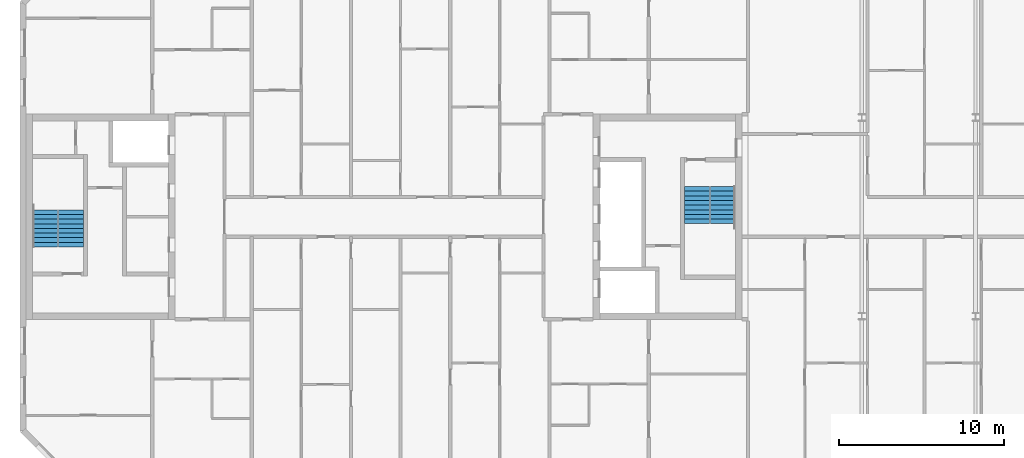
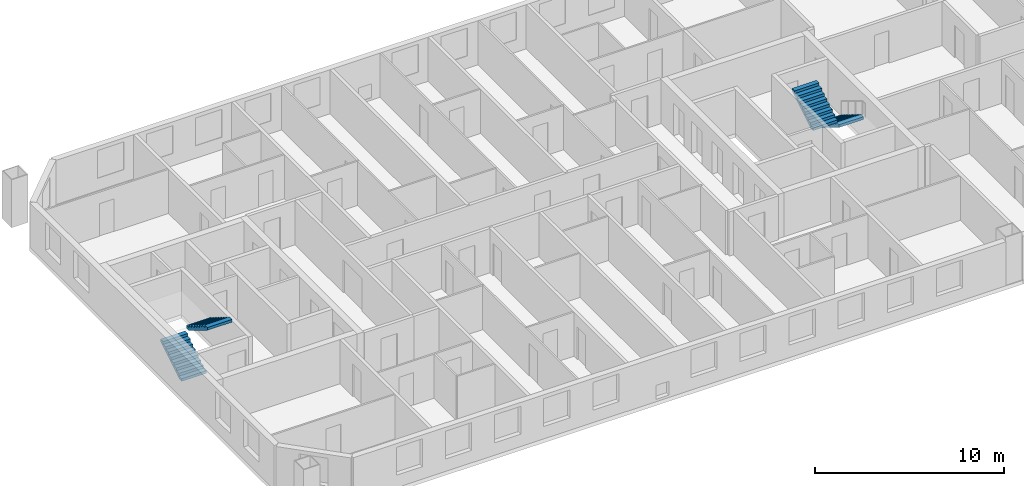
# One storey, part 18 of 19: 4 stair flights, 2 elements without a shape of their own.
"""IFC4 building model written with IfcOpenShell, lengths in metres."""

from ifc_helpers import new_model, si_unit, direction, frame, origin, place, context, subcontext, project, spatial, faceted_brep, material, type_object, element, aggregate, save


model = new_model("IFC4")

# Units and contexts
model_context = context("Model", 3, precision=1e-05, world=origin(), true_north=direction((0.0, 1.0)))
body_context = subcontext(model_context, "Body", "Model", "MODEL_VIEW")
ifc_project = project(units=[si_unit("LENGTHUNIT", "METRE"), si_unit("AREAUNIT", "SQUARE_METRE"), si_unit("VOLUMEUNIT", "CUBIC_METRE"), si_unit("PLANEANGLEUNIT", "RADIAN"), si_unit("MASSUNIT", "GRAM", prefix="KILO")], contexts=[model_context])

# Site, building, storey
site_placement = place(None, origin())
site = spatial("IfcSite", under=ifc_project, at=site_placement, CompositionType="ELEMENT")
building_placement = place(site_placement, origin())
building = spatial("IfcBuilding", under=site, at=building_placement, Name="Tuart Gate Housing", CompositionType="ELEMENT")
storey_placement = place(building_placement, frame((0.0, 0.0, 233.800048828125)))
storey = spatial("IfcBuildingStorey", under=building, at=storey_placement, Name="L66", CompositionType="ELEMENT", Elevation=233.800048828125)

# Stair, stair flights
ifc_material_1 = material(Name="Concrete C40", Category="concrete")
stair_type = type_object("IfcStairType", Name="Core stair 1500", PredefinedType="HALF_TURN_STAIR", material=ifc_material_1)
stair_1_placement = place(storey_placement, origin())
stair_1 = element("IfcStair", 1, at=stair_1_placement, inside=storey, type_object=stair_type, Name="Stair SA1", PredefinedType="HALF_TURN_STAIR")
ifc_material_2 = material(Name="Concrete C40", Category="concrete")
stair_flight_type = type_object("IfcStairFlightType", Name="Stair flight 1500, 9 risers 172 x 280", PredefinedType="STRAIGHT", material=ifc_material_2)
stair_flight_1_placement = place(storey_placement, frame((74.489990234375, 71.824951171875, 0.0), z_axis=(0.0, 0.0, 1.0), x_axis=(0.0, -1.0, 0.0)))
stair_flight_1 = element("IfcStairFlight", 2, at=stair_flight_1_placement, type_object=stair_flight_type, Name="SA1 flight 1", NumberOfRisers=9, NumberOfTreads=8, PredefinedType="STRAIGHT", RiserHeight=0.172222222, TreadLength=0.28, context=body_context, shape_type="Brep", body=[
    faceted_brep([(0.0, 0.75, 0.0), (0.0, 0.75, 0.172119140625), (0.280029296875, 0.75, 0.172119140625), (0.280029296875, 0.75, 0.344482421875), (0.56005859375, 0.75, 0.344482421875), (0.56005859375, 0.75, 0.5166015625), (0.840087890625, 0.75, 0.5166015625), (0.840087890625, 0.75, 0.68896484375), (1.1201171875, 0.75, 0.68896484375), (1.1201171875, 0.75, 0.861083984375), (1.39990234375, 0.75, 0.861083984375), (1.39990234375, 0.75, 1.033447265625), (1.679931640625, 0.75, 1.033447265625), (1.679931640625, 0.75, 1.20556640625), (1.9599609375, 0.75, 1.20556640625), (1.9599609375, 0.75, 1.377685546875), (2.239990234375, 0.75, 1.377685546875), (2.239990234375, 0.75, 1.201904296875), (0.2861328125, 0.75, 0.0), (0.2861328125, -0.75, 0.0), (2.239990234375, -0.75, 1.201904296875), (2.239990234375, -0.75, 1.377685546875), (1.9599609375, -0.75, 1.377685546875), (1.9599609375, -0.75, 1.20556640625), (1.679931640625, -0.75, 1.20556640625), (1.679931640625, -0.75, 1.033447265625), (1.39990234375, -0.75, 1.033447265625), (1.39990234375, -0.75, 0.861083984375), (1.1201171875, -0.75, 0.861083984375), (1.1201171875, -0.75, 0.68896484375), (0.840087890625, -0.75, 0.68896484375), (0.840087890625, -0.75, 0.5166015625), (0.56005859375, -0.75, 0.5166015625), (0.56005859375, -0.75, 0.344482421875), (0.280029296875, -0.75, 0.344482421875), (0.280029296875, -0.75, 0.172119140625), (0.0, -0.75, 0.172119140625), (0.0, -0.75, 0.0), (2.239990234375, 0.0, 1.201904296875), (0.2861328125, 0.0, 0.0), (2.239990234375, 0.0, 1.377685546875), (1.9599609375, 0.0, 1.377685546875), (1.9599609375, 0.0, 1.20556640625), (1.679931640625, 0.0, 1.20556640625), (1.679931640625, 0.0, 1.033447265625), (1.39990234375, 0.0, 1.033447265625), (1.39990234375, 0.0, 0.861083984375), (1.1201171875, 0.0, 0.861083984375), (1.1201171875, 0.0, 0.68896484375), (0.840087890625, 0.0, 0.68896484375), (0.840087890625, 0.0, 0.5166015625), (0.56005859375, 0.0, 0.5166015625), (0.56005859375, 0.0, 0.344482421875), (0.280029296875, 0.0, 0.344482421875), (0.280029296875, 0.0, 0.172119140625), (0.0, 0.0, 0.172119140625), (0.0, 0.0, 0.0)], [[[0, 1, 2, 3, 4, 5, 6, 7, 8, 9, 10, 11, 12, 13, 14, 15, 16, 17, 18]], [[19, 20, 21, 22, 23, 24, 25, 26, 27, 28, 29, 30, 31, 32, 33, 34, 35, 36, 37]], [[18, 17, 38, 39]], [[39, 38, 20, 19]], [[17, 16, 40, 38]], [[38, 40, 21, 20]], [[16, 15, 41, 40]], [[40, 41, 22, 21]], [[15, 14, 42, 41]], [[41, 42, 23, 22]], [[14, 13, 43, 42]], [[42, 43, 24, 23]], [[13, 12, 44, 43]], [[43, 44, 25, 24]], [[12, 11, 45, 44]], [[44, 45, 26, 25]], [[11, 10, 46, 45]], [[45, 46, 27, 26]], [[10, 9, 47, 46]], [[46, 47, 28, 27]], [[9, 8, 48, 47]], [[47, 48, 29, 28]], [[8, 7, 49, 48]], [[48, 49, 30, 29]], [[7, 6, 50, 49]], [[49, 50, 31, 30]], [[6, 5, 51, 50]], [[50, 51, 32, 31]], [[5, 4, 52, 51]], [[51, 52, 33, 32]], [[4, 3, 53, 52]], [[52, 53, 34, 33]], [[3, 2, 54, 53]], [[53, 54, 35, 34]], [[2, 1, 55, 54]], [[54, 55, 36, 35]], [[1, 0, 56, 55]], [[55, 56, 37, 36]], [[0, 18, 39, 56]], [[56, 39, 19, 37]]]),
])
stair_flight_2_placement = place(storey_placement, frame((72.9150390625, 69.5849609375, 1.550048828125), z_axis=(0.0, 0.0, 1.0), x_axis=(0.0, 1.0, 0.0)))
stair_flight_2 = element("IfcStairFlight", 3, at=stair_flight_2_placement, type_object=stair_flight_type, Name="SA1 flight 2", NumberOfRisers=9, NumberOfTreads=8, PredefinedType="STRAIGHT", RiserHeight=0.172222222, TreadLength=0.28, context=body_context, shape_type="Brep", body=[
    faceted_brep([(0.0, 0.75, 0.0), (0.0, 0.75, 0.172119140625), (0.280029296875, 0.75, 0.172119140625), (0.280029296875, 0.75, 0.344482421875), (0.56005859375, 0.75, 0.344482421875), (0.56005859375, 0.75, 0.5166015625), (0.840087890625, 0.75, 0.5166015625), (0.840087890625, 0.75, 0.68896484375), (1.1201171875, 0.75, 0.68896484375), (1.1201171875, 0.75, 0.861083984375), (1.39990234375, 0.75, 0.861083984375), (1.39990234375, 0.75, 1.033447265625), (1.679931640625, 0.75, 1.033447265625), (1.679931640625, 0.75, 1.20556640625), (1.9599609375, 0.75, 1.20556640625), (1.9599609375, 0.75, 1.377685546875), (2.239990234375, 0.75, 1.377685546875), (2.239990234375, 0.75, 1.201904296875), (0.2861328125, 0.75, 0.0), (0.2861328125, -0.75, 0.0), (2.239990234375, -0.75, 1.201904296875), (2.239990234375, -0.75, 1.377685546875), (1.9599609375, -0.75, 1.377685546875), (1.9599609375, -0.75, 1.20556640625), (1.679931640625, -0.75, 1.20556640625), (1.679931640625, -0.75, 1.033447265625), (1.39990234375, -0.75, 1.033447265625), (1.39990234375, -0.75, 0.861083984375), (1.1201171875, -0.75, 0.861083984375), (1.1201171875, -0.75, 0.68896484375), (0.840087890625, -0.75, 0.68896484375), (0.840087890625, -0.75, 0.5166015625), (0.56005859375, -0.75, 0.5166015625), (0.56005859375, -0.75, 0.344482421875), (0.280029296875, -0.75, 0.344482421875), (0.280029296875, -0.75, 0.172119140625), (0.0, -0.75, 0.172119140625), (0.0, -0.75, 0.0), (2.239990234375, 0.0, 1.201904296875), (0.2861328125, 0.0, 0.0), (2.239990234375, 0.0, 1.377685546875), (1.9599609375, 0.0, 1.377685546875), (1.9599609375, 0.0, 1.20556640625), (1.679931640625, 0.0, 1.20556640625), (1.679931640625, 0.0, 1.033447265625), (1.39990234375, 0.0, 1.033447265625), (1.39990234375, 0.0, 0.861083984375), (1.1201171875, 0.0, 0.861083984375), (1.1201171875, 0.0, 0.68896484375), (0.840087890625, 0.0, 0.68896484375), (0.840087890625, 0.0, 0.5166015625), (0.56005859375, 0.0, 0.5166015625), (0.56005859375, 0.0, 0.344482421875), (0.280029296875, 0.0, 0.344482421875), (0.280029296875, 0.0, 0.172119140625), (0.0, 0.0, 0.172119140625), (0.0, 0.0, 0.0)], [[[0, 1, 2, 3, 4, 5, 6, 7, 8, 9, 10, 11, 12, 13, 14, 15, 16, 17, 18]], [[19, 20, 21, 22, 23, 24, 25, 26, 27, 28, 29, 30, 31, 32, 33, 34, 35, 36, 37]], [[18, 17, 38, 39]], [[39, 38, 20, 19]], [[17, 16, 40, 38]], [[38, 40, 21, 20]], [[16, 15, 41, 40]], [[40, 41, 22, 21]], [[15, 14, 42, 41]], [[41, 42, 23, 22]], [[14, 13, 43, 42]], [[42, 43, 24, 23]], [[13, 12, 44, 43]], [[43, 44, 25, 24]], [[12, 11, 45, 44]], [[44, 45, 26, 25]], [[11, 10, 46, 45]], [[45, 46, 27, 26]], [[10, 9, 47, 46]], [[46, 47, 28, 27]], [[9, 8, 48, 47]], [[47, 48, 29, 28]], [[8, 7, 49, 48]], [[48, 49, 30, 29]], [[7, 6, 50, 49]], [[49, 50, 31, 30]], [[6, 5, 51, 50]], [[50, 51, 32, 31]], [[5, 4, 52, 51]], [[51, 52, 33, 32]], [[4, 3, 53, 52]], [[52, 53, 34, 33]], [[3, 2, 54, 53]], [[53, 54, 35, 34]], [[2, 1, 55, 54]], [[54, 55, 36, 35]], [[1, 0, 56, 55]], [[55, 56, 37, 36]], [[0, 18, 39, 56]], [[56, 39, 19, 37]]]),
])
aggregate(stair_1, [stair_flight_1, stair_flight_2])

stair_2_placement = place(storey_placement, origin())
stair_2 = element("IfcStair", 4, at=stair_2_placement, inside=storey, type_object=stair_type, Name="Stair SA2", PredefinedType="HALF_TURN_STAIR")
stair_flight_3_placement = place(storey_placement, frame((33.510009765625, 68.175048828125, 0.0), z_axis=(0.0, 0.0, 1.0), x_axis=(0.0, 1.0, 0.0)))
stair_flight_3 = element("IfcStairFlight", 5, at=stair_flight_3_placement, type_object=stair_flight_type, Name="SA2 flight 1", NumberOfRisers=9, NumberOfTreads=8, PredefinedType="STRAIGHT", RiserHeight=0.172222222, TreadLength=0.28, context=body_context, shape_type="Brep", body=[
    faceted_brep([(0.0, 0.75, 0.0), (0.0, 0.75, 0.172119140625), (0.280029296875, 0.75, 0.172119140625), (0.280029296875, 0.75, 0.344482421875), (0.56005859375, 0.75, 0.344482421875), (0.56005859375, 0.75, 0.5166015625), (0.840087890625, 0.75, 0.5166015625), (0.840087890625, 0.75, 0.68896484375), (1.1201171875, 0.75, 0.68896484375), (1.1201171875, 0.75, 0.861083984375), (1.39990234375, 0.75, 0.861083984375), (1.39990234375, 0.75, 1.033447265625), (1.679931640625, 0.75, 1.033447265625), (1.679931640625, 0.75, 1.20556640625), (1.9599609375, 0.75, 1.20556640625), (1.9599609375, 0.75, 1.377685546875), (2.239990234375, 0.75, 1.377685546875), (2.239990234375, 0.75, 1.201904296875), (0.2861328125, 0.75, 0.0), (0.2861328125, -0.75, 0.0), (2.239990234375, -0.75, 1.201904296875), (2.239990234375, -0.75, 1.377685546875), (1.9599609375, -0.75, 1.377685546875), (1.9599609375, -0.75, 1.20556640625), (1.679931640625, -0.75, 1.20556640625), (1.679931640625, -0.75, 1.033447265625), (1.39990234375, -0.75, 1.033447265625), (1.39990234375, -0.75, 0.861083984375), (1.1201171875, -0.75, 0.861083984375), (1.1201171875, -0.75, 0.68896484375), (0.840087890625, -0.75, 0.68896484375), (0.840087890625, -0.75, 0.5166015625), (0.56005859375, -0.75, 0.5166015625), (0.56005859375, -0.75, 0.344482421875), (0.280029296875, -0.75, 0.344482421875), (0.280029296875, -0.75, 0.172119140625), (0.0, -0.75, 0.172119140625), (0.0, -0.75, 0.0), (2.239990234375, 0.0, 1.201904296875), (0.2861328125, 0.0, 0.0), (2.239990234375, 0.0, 1.377685546875), (1.9599609375, 0.0, 1.377685546875), (1.9599609375, 0.0, 1.20556640625), (1.679931640625, 0.0, 1.20556640625), (1.679931640625, 0.0, 1.033447265625), (1.39990234375, 0.0, 1.033447265625), (1.39990234375, 0.0, 0.861083984375), (1.1201171875, 0.0, 0.861083984375), (1.1201171875, 0.0, 0.68896484375), (0.840087890625, 0.0, 0.68896484375), (0.840087890625, 0.0, 0.5166015625), (0.56005859375, 0.0, 0.5166015625), (0.56005859375, 0.0, 0.344482421875), (0.280029296875, 0.0, 0.344482421875), (0.280029296875, 0.0, 0.172119140625), (0.0, 0.0, 0.172119140625), (0.0, 0.0, 0.0)], [[[0, 1, 2, 3, 4, 5, 6, 7, 8, 9, 10, 11, 12, 13, 14, 15, 16, 17, 18]], [[19, 20, 21, 22, 23, 24, 25, 26, 27, 28, 29, 30, 31, 32, 33, 34, 35, 36, 37]], [[18, 17, 38, 39]], [[39, 38, 20, 19]], [[17, 16, 40, 38]], [[38, 40, 21, 20]], [[16, 15, 41, 40]], [[40, 41, 22, 21]], [[15, 14, 42, 41]], [[41, 42, 23, 22]], [[14, 13, 43, 42]], [[42, 43, 24, 23]], [[13, 12, 44, 43]], [[43, 44, 25, 24]], [[12, 11, 45, 44]], [[44, 45, 26, 25]], [[11, 10, 46, 45]], [[45, 46, 27, 26]], [[10, 9, 47, 46]], [[46, 47, 28, 27]], [[9, 8, 48, 47]], [[47, 48, 29, 28]], [[8, 7, 49, 48]], [[48, 49, 30, 29]], [[7, 6, 50, 49]], [[49, 50, 31, 30]], [[6, 5, 51, 50]], [[50, 51, 32, 31]], [[5, 4, 52, 51]], [[51, 52, 33, 32]], [[4, 3, 53, 52]], [[52, 53, 34, 33]], [[3, 2, 54, 53]], [[53, 54, 35, 34]], [[2, 1, 55, 54]], [[54, 55, 36, 35]], [[1, 0, 56, 55]], [[55, 56, 37, 36]], [[0, 18, 39, 56]], [[56, 39, 19, 37]]]),
])
stair_flight_4_placement = place(storey_placement, frame((35.0849609375, 70.4150390625, 1.550048828125), z_axis=(0.0, 0.0, 1.0), x_axis=(0.0, -1.0, 0.0)))
stair_flight_4 = element("IfcStairFlight", 6, at=stair_flight_4_placement, type_object=stair_flight_type, Name="SA2 flight 2", NumberOfRisers=9, NumberOfTreads=8, PredefinedType="STRAIGHT", RiserHeight=0.172222222, TreadLength=0.28, context=body_context, shape_type="Brep", body=[
    faceted_brep([(0.0, 0.75, 0.0), (0.0, 0.75, 0.172119140625), (0.280029296875, 0.75, 0.172119140625), (0.280029296875, 0.75, 0.344482421875), (0.56005859375, 0.75, 0.344482421875), (0.56005859375, 0.75, 0.5166015625), (0.840087890625, 0.75, 0.5166015625), (0.840087890625, 0.75, 0.68896484375), (1.1201171875, 0.75, 0.68896484375), (1.1201171875, 0.75, 0.861083984375), (1.39990234375, 0.75, 0.861083984375), (1.39990234375, 0.75, 1.033447265625), (1.679931640625, 0.75, 1.033447265625), (1.679931640625, 0.75, 1.20556640625), (1.9599609375, 0.75, 1.20556640625), (1.9599609375, 0.75, 1.377685546875), (2.239990234375, 0.75, 1.377685546875), (2.239990234375, 0.75, 1.201904296875), (0.2861328125, 0.75, 0.0), (0.2861328125, -0.75, 0.0), (2.239990234375, -0.75, 1.201904296875), (2.239990234375, -0.75, 1.377685546875), (1.9599609375, -0.75, 1.377685546875), (1.9599609375, -0.75, 1.20556640625), (1.679931640625, -0.75, 1.20556640625), (1.679931640625, -0.75, 1.033447265625), (1.39990234375, -0.75, 1.033447265625), (1.39990234375, -0.75, 0.861083984375), (1.1201171875, -0.75, 0.861083984375), (1.1201171875, -0.75, 0.68896484375), (0.840087890625, -0.75, 0.68896484375), (0.840087890625, -0.75, 0.5166015625), (0.56005859375, -0.75, 0.5166015625), (0.56005859375, -0.75, 0.344482421875), (0.280029296875, -0.75, 0.344482421875), (0.280029296875, -0.75, 0.172119140625), (0.0, -0.75, 0.172119140625), (0.0, -0.75, 0.0), (2.239990234375, 0.0, 1.201904296875), (0.2861328125, 0.0, 0.0), (2.239990234375, 0.0, 1.377685546875), (1.9599609375, 0.0, 1.377685546875), (1.9599609375, 0.0, 1.20556640625), (1.679931640625, 0.0, 1.20556640625), (1.679931640625, 0.0, 1.033447265625), (1.39990234375, 0.0, 1.033447265625), (1.39990234375, 0.0, 0.861083984375), (1.1201171875, 0.0, 0.861083984375), (1.1201171875, 0.0, 0.68896484375), (0.840087890625, 0.0, 0.68896484375), (0.840087890625, 0.0, 0.5166015625), (0.56005859375, 0.0, 0.5166015625), (0.56005859375, 0.0, 0.344482421875), (0.280029296875, 0.0, 0.344482421875), (0.280029296875, 0.0, 0.172119140625), (0.0, 0.0, 0.172119140625), (0.0, 0.0, 0.0)], [[[0, 1, 2, 3, 4, 5, 6, 7, 8, 9, 10, 11, 12, 13, 14, 15, 16, 17, 18]], [[19, 20, 21, 22, 23, 24, 25, 26, 27, 28, 29, 30, 31, 32, 33, 34, 35, 36, 37]], [[18, 17, 38, 39]], [[39, 38, 20, 19]], [[17, 16, 40, 38]], [[38, 40, 21, 20]], [[16, 15, 41, 40]], [[40, 41, 22, 21]], [[15, 14, 42, 41]], [[41, 42, 23, 22]], [[14, 13, 43, 42]], [[42, 43, 24, 23]], [[13, 12, 44, 43]], [[43, 44, 25, 24]], [[12, 11, 45, 44]], [[44, 45, 26, 25]], [[11, 10, 46, 45]], [[45, 46, 27, 26]], [[10, 9, 47, 46]], [[46, 47, 28, 27]], [[9, 8, 48, 47]], [[47, 48, 29, 28]], [[8, 7, 49, 48]], [[48, 49, 30, 29]], [[7, 6, 50, 49]], [[49, 50, 31, 30]], [[6, 5, 51, 50]], [[50, 51, 32, 31]], [[5, 4, 52, 51]], [[51, 52, 33, 32]], [[4, 3, 53, 52]], [[52, 53, 34, 33]], [[3, 2, 54, 53]], [[53, 54, 35, 34]], [[2, 1, 55, 54]], [[54, 55, 36, 35]], [[1, 0, 56, 55]], [[55, 56, 37, 36]], [[0, 18, 39, 56]], [[56, 39, 19, 37]]]),
])
aggregate(stair_2, [stair_flight_3, stair_flight_4])

save(model, "model.ifc")
